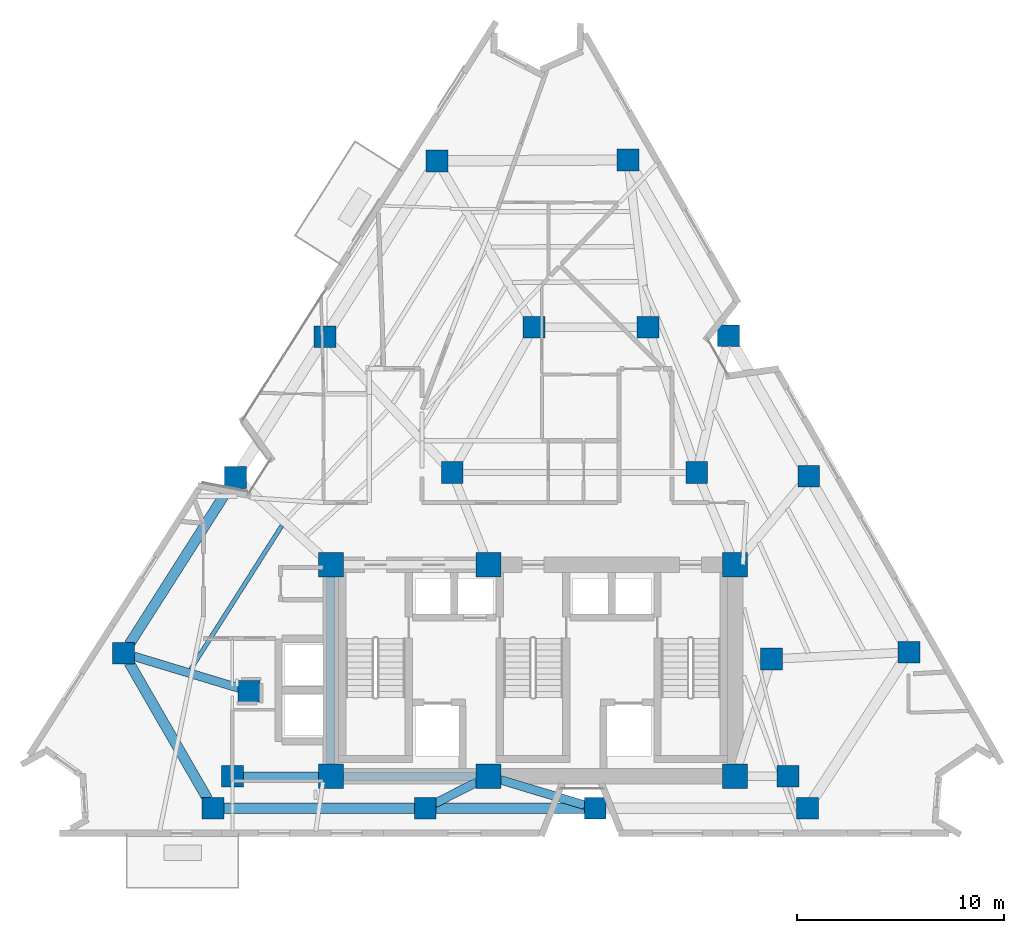
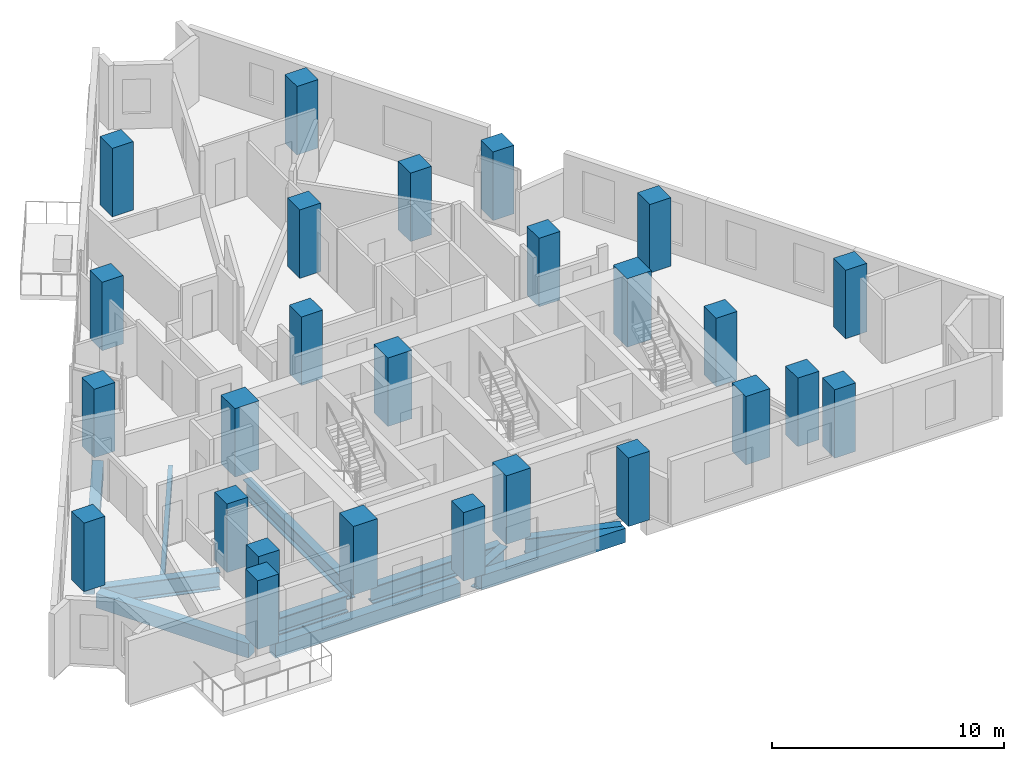
# One storey, part 1 of 11: 26 columns, 11 beams.
"""IFC4 building model written with IfcOpenShell, lengths in metres."""

from ifc_helpers import new_model, si_unit, direction, frame, origin, origin_2d, place, context, subcontext, project, spatial, rectangle, i_section, extrude, material, material_profile, profile_set, type_object, element, save


model = new_model("IFC4")

# Units and contexts
model_context = context("Model", 3, precision=1e-05, world=origin(), true_north=direction((0.0, 1.0)))
body_context = subcontext(model_context, "Body", "Model", "MODEL_VIEW")
ifc_project = project(units=[si_unit("LENGTHUNIT", "METRE"), si_unit("AREAUNIT", "SQUARE_METRE"), si_unit("VOLUMEUNIT", "CUBIC_METRE"), si_unit("PLANEANGLEUNIT", "RADIAN"), si_unit("MASSUNIT", "GRAM", prefix="KILO")], contexts=[model_context])

# Site, building, storey
site_placement = place(None, origin())
site = spatial("IfcSite", under=ifc_project, at=site_placement, CompositionType="ELEMENT")
building_placement = place(site_placement, origin())
building = spatial("IfcBuilding", under=site, at=building_placement, Name="Almagre Mirador Tower", CompositionType="ELEMENT")
storey_placement = place(building_placement, frame((0.0, 0.0, 150.0)))
storey = spatial("IfcBuildingStorey", under=building, at=storey_placement, Name="L38", CompositionType="ELEMENT", Elevation=150.0)

# Columns
ifc_material_1 = material(Name="Concrete C60/75", Category="concrete")
ifc_material_profile_1 = material_profile(ifc_material_1, rectangle(XDim=1.050048828125, YDim=1.050048828125, at=origin_2d()), Name="RC1050X1050")
ifc_profile_set_1 = profile_set([ifc_material_profile_1], Name="Concrete C60/75")
column_type_1 = type_object("IfcColumnType", Name="COL-RC1050", PredefinedType="COLUMN", material=ifc_profile_set_1)
for number, where, z_axis, x_axis, name in (
    (1, (22.800048828125, 4.550048828125, 0.0), (0.0, 0.0, 1.0), (1.0, 0.0, 0.0), "L38 interior transfer column MC1"),
    (2, (49.60009765625, 4.550048828125, 0.0), (0.0, 0.0, 1.0), (1.0, 0.0, 0.0), "L38 interior transfer column MC2"),
    (3, (48.800048828125, 10.199951171875, 0.0), (0.0, 0.0, 1.0), (1.0, 0.0, 0.0), "L38 interior transfer column MC3"),
    (4, (45.199951171875, 19.199951171875, 0.0), (0.0, 0.0, 1.0), (1.0, 0.0, 0.0), "L38 interior transfer column MC5"),
    (5, (42.85009765625, 26.199951171875, 0.0), (0.0, 0.0, 1.0), (1.0, 0.0, 0.0), "L38 interior transfer column MC6"),
    (6, (37.35009765625, 26.199951171875, 0.0), (0.0, 0.0, 1.0), (1.0, 0.0, 0.0), "L38 interior transfer column MC7"),
    (7, (33.39990234375, 19.199951171875, 0.0), (0.0, 0.0, 1.0), (1.0, 0.0, 0.0), "L38 interior transfer column MC8"),
    (8, (23.60009765625, 8.64990234375, 0.0), (0.0, 0.0, 1.0), (1.0, 0.0, 0.0), "L38 interior transfer column MC10"),
    (9, (21.864013671875, 3.0, 0.0), (0.0, 0.0, 1.0), (1.0, 0.0, 0.0), "L38 perimeter column PC01"),
    (10, (32.10400390625, 3.0, 0.0), (0.0, 0.0, 1.0), (1.0, 0.0, 0.0), "L38 perimeter column PC02"),
    (11, (40.2958984375, 3.0, 0.0), (0.0, 0.0, 1.0), (1.0, 0.0, 0.0), "L38 perimeter column PC03"),
    (12, (50.535888671875, 3.0, 0.0), (0.0, 0.0, 1.0), (1.0, 0.0, 0.0), "L38 perimeter column PC04"),
    (13, (55.43408203125, 10.532958984375, 0.0), (0.0, 0.0, 1.0), (1.0, 0.0, 0.0), "L38 perimeter column PC05"),
    (14, (50.593994140625, 19.012939453125, 0.0), (0.0, 0.0, 1.0), (1.0, 0.0, 0.0), "L38 perimeter column PC06"),
    (15, (46.721923828125, 25.797119140625, 0.0), (0.0, 0.0, 1.0), (1.0, 0.0, 0.0), "L38 perimeter column PC07"),
    (16, (41.882080078125, 34.277099609375, 0.0), (0.0, 0.0, 1.0), (1.0, 0.0, 0.0), "L38 perimeter column PC08"),
    (17, (32.672119140625, 34.22705078125, 0.0), (0.0, 0.0, 1.0), (1.0, 0.0, 0.0), "L38 perimeter column PC09"),
    (18, (27.27197265625, 25.7470703125, 0.0), (0.0, 0.0, 1.0), (1.0, 0.0, 0.0), "L38 perimeter column PC10"),
    (19, (22.951904296875, 18.962890625, 0.0), (0.0, 0.0, 1.0), (1.0, 0.0, 0.0), "L38 perimeter column PC11"),
    (20, (17.552001953125, 10.48291015625, 0.0), (0.0, 0.0, 1.0), (1.0, 0.0, 0.0), "L38 perimeter column PC12"),
):
    element("IfcColumn", number, at=place(storey_placement, frame(where, z_axis=z_axis, x_axis=x_axis)), inside=storey, type_object=column_type_1, Name=name, PredefinedType="COLUMN", context=body_context, shape_type="SweptSolid", body=[
        extrude(rectangle(XDim=1.050048828125, YDim=1.050048828125, at=origin_2d()), origin(), (0.0, 0.0, 1.0), 3.60009765625),
    ])
ifc_material_2 = material(Name="Concrete C60/75", Category="concrete")
ifc_material_profile_2 = material_profile(ifc_material_2, rectangle(XDim=1.199951171875, YDim=1.199951171875, at=origin_2d()), Name="RC1200X1200")
ifc_profile_set_2 = profile_set([ifc_material_profile_2], Name="Concrete C60/75")
column_type_2 = type_object("IfcColumnType", Name="COL-RC1200", PredefinedType="COLUMN", material=ifc_profile_set_2)
for number, where, z_axis, x_axis, name in (
    (21, (27.550048828125, 4.550048828125, 0.0), (0.0, 0.0, 1.0), (1.0, 0.0, 0.0), "L38 core spine column CC1"),
    (22, (35.14990234375, 4.550048828125, 0.0), (0.0, 0.0, 1.0), (1.0, 0.0, 0.0), "L38 core spine column CC2"),
    (23, (47.050048828125, 4.550048828125, 0.0), (0.0, 0.0, 1.0), (1.0, 0.0, 0.0), "L38 core spine column CC3"),
    (24, (27.550048828125, 14.75, 0.0), (0.0, 0.0, 1.0), (1.0, 0.0, 0.0), "L38 core spine column CC4"),
    (25, (35.14990234375, 14.75, 0.0), (0.0, 0.0, 1.0), (1.0, 0.0, 0.0), "L38 core spine column CC5"),
    (26, (47.050048828125, 14.75, 0.0), (0.0, 0.0, 1.0), (1.0, 0.0, 0.0), "L38 core spine column CC6"),
):
    element("IfcColumn", number, at=place(storey_placement, frame(where, z_axis=z_axis, x_axis=x_axis)), inside=storey, type_object=column_type_2, Name=name, PredefinedType="COLUMN", context=body_context, shape_type="SweptSolid", body=[
        extrude(rectangle(XDim=1.199951171875, YDim=1.199951171875, at=origin_2d()), origin(), (0.0, 0.0, 1.0), 3.60009765625),
    ])

# Beams
ifc_material_3 = material(Name="Steel ASTM A992 Grade 50", Category="steel")
ifc_material_profile_3 = material_profile(ifc_material_3, i_section(OverallWidth=0.208984375, OverallDepth=0.532958984375, WebThickness=0.01025390625, FlangeThickness=0.015625, FilletRadius=0.01806640625, at=origin_2d()), Name="W21X62")
ifc_profile_set_3 = profile_set([ifc_material_profile_3], Name="Steel ASTM A992 Grade 50")
beam_type_1 = type_object("IfcBeamType", Name="BM-JST-W21X62", PredefinedType="JOIST", material=ifc_profile_set_3)
beam_1_placement = place(storey_placement, frame((25.186767578125, 16.63623046875, -0.5166015625), z_axis=(-0.536170420984, -0.844109755696, 0.0), x_axis=(0.844109755696, -0.536170420984, 0.0)))
element("IfcBeam", 27, at=beam_1_placement, inside=storey, type_object=beam_type_1, Name="L38 secondary floor joist PC11-PC12.2", PredefinedType="JOIST", context=body_context, shape_type="SweptSolid", body=[
    extrude(i_section(OverallWidth=0.208984375, OverallDepth=0.532958984375, WebThickness=0.01025390625, FlangeThickness=0.015625, FilletRadius=0.01806640625, at=origin_2d()), origin(), (0.0, 0.0, 1.0), 8.20263671875),
])
ifc_material_4 = material(Name="Precast concrete C50/60", Category="concrete")
ifc_material_profile_4 = material_profile(ifc_material_4, rectangle(XDim=0.5, YDim=0.75, at=origin_2d()), Name="RC500X750")
ifc_profile_set_4 = profile_set([ifc_material_profile_4], Name="Precast concrete C50/60")
beam_type_2 = type_object("IfcBeamType", Name="BM-SPN-RC500X750", PredefinedType="SPANDREL", material=ifc_profile_set_4)
beam_2_placement = place(storey_placement, frame((22.388916015625, 3.0, -0.625), z_axis=(1.0, 0.0, 0.0), x_axis=(0.0, 1.0, 0.0)))
element("IfcBeam", 28, at=beam_2_placement, inside=storey, type_object=beam_type_2, Name="L38 perimeter spandrel beam PC01-PC02", PredefinedType="SPANDREL", context=body_context, shape_type="SweptSolid", body=[
    extrude(rectangle(XDim=0.5, YDim=0.75, at=origin_2d()), origin(), (0.0, 0.0, 1.0), 9.190185546875),
])
beam_3_placement = place(storey_placement, frame((32.62890625, 3.0, -0.625), z_axis=(1.0, 0.0, 0.0), x_axis=(0.0, 1.0, 0.0)))
element("IfcBeam", 29, at=beam_3_placement, inside=storey, type_object=beam_type_2, Name="L38 perimeter spandrel beam PC02-PC03", PredefinedType="SPANDREL", context=body_context, shape_type="SweptSolid", body=[
    extrude(rectangle(XDim=0.5, YDim=0.75, at=origin_2d()), origin(), (0.0, 0.0, 1.0), 7.14208984375),
])
beam_4_placement = place(storey_placement, frame((22.669921875, 18.520263671875, -0.625), z_axis=(-0.53711935681, -0.84350625163, 0.0), x_axis=(0.84350625163, -0.53711935681, 0.0)))
element("IfcBeam", 30, at=beam_4_placement, inside=storey, type_object=beam_type_2, Name="L38 perimeter spandrel beam PC11-PC12", PredefinedType="SPANDREL", context=body_context, shape_type="SweptSolid", body=[
    extrude(rectangle(XDim=0.5, YDim=0.75, at=origin_2d()), origin(), (0.0, 0.0, 1.0), 9.00341796875),
])
beam_5_placement = place(storey_placement, frame((17.814208984375, 10.028076171875, -0.625), z_axis=(0.499261771352, -0.866451200972, 0.0), x_axis=(0.866451200972, 0.499261771352, 0.0)))
element("IfcBeam", 31, at=beam_5_placement, inside=storey, type_object=beam_type_2, Name="L38 perimeter spandrel beam PC12-PC01", PredefinedType="SPANDREL", context=body_context, shape_type="SweptSolid", body=[
    extrude(rectangle(XDim=0.5, YDim=0.75, at=origin_2d()), origin(), (0.0, 0.0, 1.0), 7.58642578125),
])
ifc_material_5 = material(Name="Steel ASTM A992 Grade 50", Category="steel")
ifc_material_profile_5 = material_profile(ifc_material_5, i_section(OverallWidth=0.404052734375, OverallDepth=0.884033203125, WebThickness=0.0244140625, FlangeThickness=0.0439453125, FilletRadius=0.02490234375, at=origin_2d()), Name="W33X291")
ifc_profile_set_5 = profile_set([ifc_material_profile_5], Name="Steel ASTM A992 Grade 50")
beam_type_3 = type_object("IfcBeamType", Name="BM-STL-W33X291", PredefinedType="BEAM", material=ifc_profile_set_5)
beam_6_placement = place(storey_placement, frame((28.14990234375, 4.550048828125, -0.69189453125), z_axis=(1.0, 0.0, 0.0), x_axis=(0.0, 1.0, 0.0)))
element("IfcBeam", 32, at=beam_6_placement, inside=storey, type_object=beam_type_3, Name="L38 core tie girder CC1-CC2", PredefinedType="BEAM", context=body_context, shape_type="SweptSolid", body=[
    extrude(i_section(OverallWidth=0.404052734375, OverallDepth=0.884033203125, WebThickness=0.0244140625, FlangeThickness=0.0439453125, FilletRadius=0.02490234375, at=origin_2d()), origin(), (0.0, 0.0, 1.0), 6.400146484375),
])
beam_7_placement = place(storey_placement, frame((27.550048828125, 5.14990234375, -0.69189453125), z_axis=(0.0, 1.0, 0.0), x_axis=(-1.0, 0.0, 0.0)))
element("IfcBeam", 33, at=beam_7_placement, inside=storey, type_object=beam_type_3, Name="L38 core tie girder CC1-CC4", PredefinedType="BEAM", context=body_context, shape_type="SweptSolid", body=[
    extrude(i_section(OverallWidth=0.404052734375, OverallDepth=0.884033203125, WebThickness=0.0244140625, FlangeThickness=0.0439453125, FilletRadius=0.02490234375, at=origin_2d()), origin(), (0.0, 0.0, 1.0), 9.0),
])
beam_8_placement = place(storey_placement, frame((23.324951171875, 4.550048828125, -0.69189453125), z_axis=(1.0, 0.0, 0.0), x_axis=(0.0, 1.0, 0.0)))
element("IfcBeam", 34, at=beam_8_placement, inside=storey, type_object=beam_type_3, Name="L38 core tie girder MC1-CC1", PredefinedType="BEAM", context=body_context, shape_type="SweptSolid", body=[
    extrude(i_section(OverallWidth=0.404052734375, OverallDepth=0.884033203125, WebThickness=0.0244140625, FlangeThickness=0.0439453125, FilletRadius=0.02490234375, at=origin_2d()), origin(), (0.0, 0.0, 1.0), 3.625),
])
ifc_material_6 = material(Name="Steel ASTM A992 Grade 50", Category="steel")
ifc_material_profile_6 = material_profile(ifc_material_6, i_section(OverallWidth=0.41796875, OverallDepth=0.927001953125, WebThickness=0.019287109375, FlangeThickness=0.031982421875, FilletRadius=0.028076171875, at=origin_2d()), Name="W36X231")
ifc_profile_set_6 = profile_set([ifc_material_profile_6], Name="Steel ASTM A992 Grade 50")
beam_type_4 = type_object("IfcBeamType", Name="BM-STL-W36X231", PredefinedType="BEAM", material=ifc_profile_set_6)
beam_9_placement = place(storey_placement, frame((32.572021484375, 3.238037109375, -0.71337890625), z_axis=(0.891231211208, 0.453549256606, 0.0), x_axis=(-0.453549256606, 0.891231211208, 0.0)))
element("IfcBeam", 35, at=beam_9_placement, inside=storey, type_object=beam_type_4, Name="L38 radial floor girder PC02-CC2", PredefinedType="BEAM", context=body_context, shape_type="SweptSolid", body=[
    extrude(i_section(OverallWidth=0.41796875, OverallDepth=0.927001953125, WebThickness=0.019287109375, FlangeThickness=0.031982421875, FilletRadius=0.028076171875, at=origin_2d()), origin(), (0.0, 0.0, 1.0), 2.29248046875),
])
beam_10_placement = place(storey_placement, frame((39.793212890625, 3.1513671875, -0.71337890625), z_axis=(-0.957501498255, 0.288428294104, 0.0), x_axis=(-0.288428294104, -0.957501498255, 0.0)))
element("IfcBeam", 36, at=beam_10_placement, inside=storey, type_object=beam_type_4, Name="L38 radial floor girder PC03-CC2", PredefinedType="BEAM", context=body_context, shape_type="SweptSolid", body=[
    extrude(i_section(OverallWidth=0.41796875, OverallDepth=0.927001953125, WebThickness=0.019287109375, FlangeThickness=0.031982421875, FilletRadius=0.028076171875, at=origin_2d()), origin(), (0.0, 0.0, 1.0), 4.249267578125),
])
beam_11_placement = place(storey_placement, frame((18.054443359375, 10.330810546875, -0.71337890625), z_axis=(0.957007648209, -0.290062685068, 0.0), x_axis=(0.290062685068, 0.957007648209, 0.0)))
element("IfcBeam", 37, at=beam_11_placement, inside=storey, type_object=beam_type_4, Name="L38 radial floor girder PC12-MC10", PredefinedType="BEAM", context=body_context, shape_type="SweptSolid", body=[
    extrude(i_section(OverallWidth=0.41796875, OverallDepth=0.927001953125, WebThickness=0.019287109375, FlangeThickness=0.031982421875, FilletRadius=0.028076171875, at=origin_2d()), origin(), (0.0, 0.0, 1.0), 5.269775390625),
])

save(model, "model.ifc")
